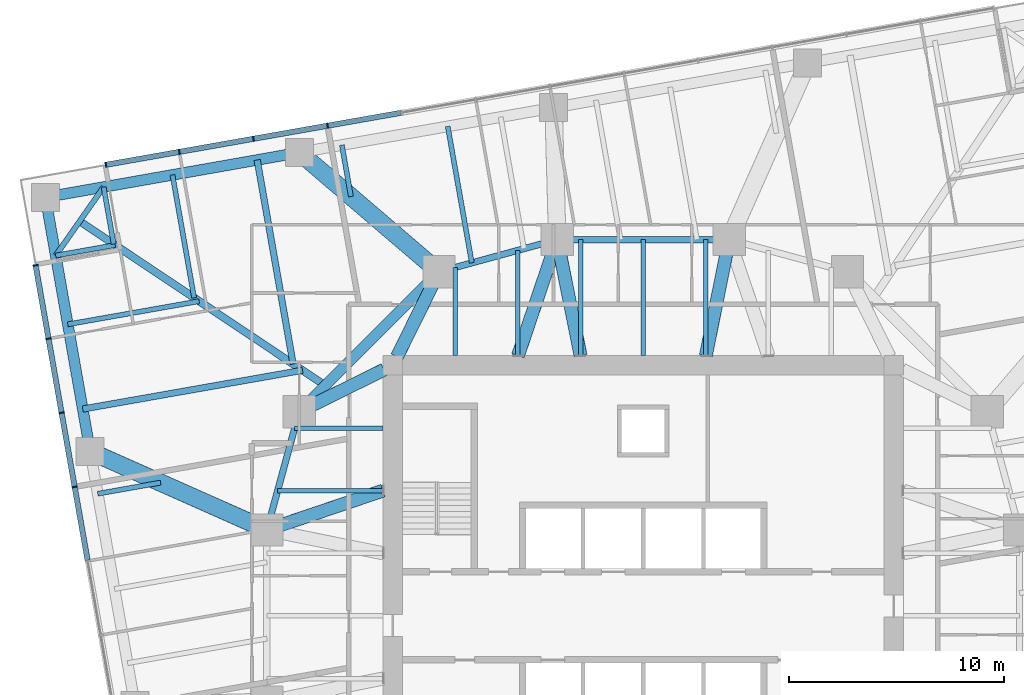
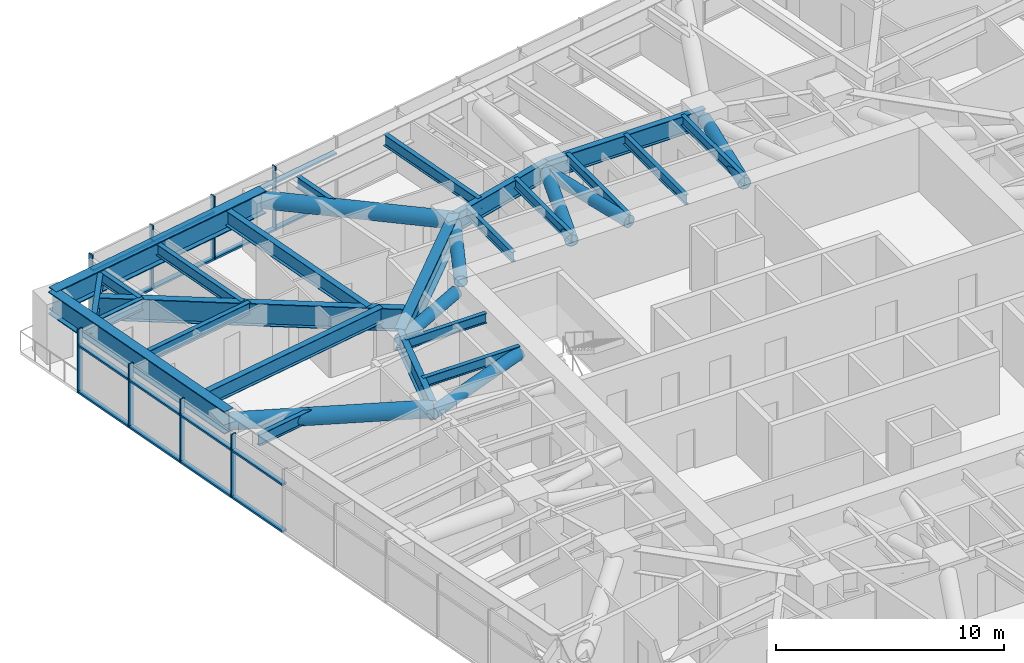
# One storey, part 6 of 17: 32 members, 24 beams, 2 elements without a shape of their own.
"""IFC4 building model written with IfcOpenShell, lengths in metres."""

from ifc_helpers import new_model, si_unit, direction, frame, origin, origin_2d, place, context, subcontext, project, spatial, rectangle, hollow_circle, i_section, extrude, material, material_profile, profile_set, type_object, element, aggregate, save


model = new_model("IFC4")

# Units and contexts
model_context = context("Model", 3, precision=1e-05, world=origin(), true_north=direction((0.0, 1.0)))
body_context = subcontext(model_context, "Body", "Model", "MODEL_VIEW")
ifc_project = project(units=[si_unit("LENGTHUNIT", "METRE"), si_unit("AREAUNIT", "SQUARE_METRE"), si_unit("VOLUMEUNIT", "CUBIC_METRE"), si_unit("PLANEANGLEUNIT", "RADIAN"), si_unit("MASSUNIT", "GRAM", prefix="KILO")], contexts=[model_context])

# Site, building, storey
site_placement = place(None, origin())
site = spatial("IfcSite", under=ifc_project, at=site_placement, CompositionType="ELEMENT")
building_placement = place(site_placement, origin())
building = spatial("IfcBuilding", under=site, at=building_placement, Name="Torsade Residences", CompositionType="ELEMENT")
storey_placement = place(building_placement, frame((0.0, 0.0, 103.199951171875)))
storey = spatial("IfcBuildingStorey", under=building, at=storey_placement, Name="L28", CompositionType="ELEMENT", Elevation=103.199951171875)

# Beams
ifc_material_1 = material(Name="Steel grade 300", Category="steel")
ifc_material_profile_1 = material_profile(ifc_material_1, i_section(OverallWidth=0.35009765625, OverallDepth=1.199951171875, WebThickness=0.01611328125, FlangeThickness=0.028076171875, at=origin_2d()), Name="1200WB278")
ifc_profile_set_1 = profile_set([ifc_material_profile_1], Name="Steel grade 300")
beam_type_1 = type_object("IfcBeamType", Name="CORNER GIRDER 1200WB278", PredefinedType="BEAM", material=ifc_profile_set_1)
beam_1_placement = place(storey_placement, frame((13.7900390625, 48.3525390625, 2.60009765625), z_axis=(0.831284218533, -0.555847594236, 0.0), x_axis=(0.555847594236, 0.831284218533, 0.0)))
element("IfcBeam", 1, at=beam_1_placement, inside=storey, type_object=beam_type_1, Name="Corner girder 13 L29", PredefinedType="BEAM", context=body_context, shape_type="SweptSolid", body=[
    extrude(i_section(OverallWidth=0.35009765625, OverallDepth=1.199951171875, WebThickness=0.01611328125, FlangeThickness=0.028076171875, at=origin_2d()), origin(), (0.0, 0.0, 1.0), 13.742431640625),
])
ifc_material_2 = material(Name="Steel grade 300", Category="steel")
ifc_material_profile_2 = material_profile(ifc_material_2, i_section(OverallWidth=0.25, OverallDepth=0.699951171875, WebThickness=0.010009765625, FlangeThickness=0.02001953125, at=origin_2d()), Name="700WB130")
ifc_profile_set_2 = profile_set([ifc_material_profile_2], Name="Steel grade 300")
beam_type_2 = type_object("IfcBeamType", Name="CORNER TRIMMER 700WB130", PredefinedType="BEAM", material=ifc_profile_set_2)
beam_2_placement = place(storey_placement, frame((12.674560546875, 46.759521484375, 2.85009765625), z_axis=(0.573576092373, 0.819152285145, 0.0), x_axis=(-0.819152285145, 0.573576092373, 0.0)))
element("IfcBeam", 2, at=beam_2_placement, inside=storey, type_object=beam_type_2, Name="Corner trimmer 13 L29", PredefinedType="BEAM", context=body_context, shape_type="SweptSolid", body=[
    extrude(i_section(OverallWidth=0.25, OverallDepth=0.699951171875, WebThickness=0.010009765625, FlangeThickness=0.02001953125, at=origin_2d()), origin(), (0.0, 0.0, 1.0), 3.88916015625),
])

# Curtain wall, members
ifc_material_3 = material(Name="Aluminium and glass", Category="aluminium")
curtain_wall_type = type_object("IfcCurtainWallType", Name="FRITTED GLASS CURTAIN WALL LOW ZONE", PredefinedType="NOTDEFINED", material=ifc_material_3)
curtain_wall_1_placement = place(storey_placement, origin())
curtain_wall_1 = element("IfcCurtainWall", 3, at=curtain_wall_1_placement, inside=storey, type_object=curtain_wall_type, Name="Curtain wall L28 face 7", PredefinedType="NOTDEFINED")
ifc_material_4 = material(Name="Aluminium mullion", Category="aluminium")
ifc_material_profile_3 = material_profile(ifc_material_4, rectangle(XDim=0.25, YDim=0.06494140625, at=origin_2d()), Name="CURTAIN WALL MULLION 250x65")
ifc_profile_set_3 = profile_set([ifc_material_profile_3], Name="Aluminium mullion")
member_type_1 = type_object("IfcMemberType", Name="CURTAIN WALL MULLION 250x65", PredefinedType="MULLION", material=ifc_profile_set_3)
member_1_placement = place(storey_placement, frame((25.318359375, 52.796875, 0.0), z_axis=(0.0, 0.0, 1.0), x_axis=(0.173648192638, -0.984807750372, 0.0)))
member_1 = element("IfcMember", 4, at=member_1_placement, type_object=member_type_1, Name="Mullion 10", PredefinedType="MULLION", context=body_context, shape_type="SweptSolid", body=[
    extrude(rectangle(XDim=0.25, YDim=0.06494140625, at=origin_2d()), origin(), (0.0, 0.0, 1.0), 3.400146484375),
])
member_2_placement = place(storey_placement, frame((21.87158203125, 52.189208984375, 0.0), z_axis=(0.0, 0.0, 1.0), x_axis=(0.173648192638, -0.984807750372, 0.0)))
member_2 = element("IfcMember", 5, at=member_2_placement, type_object=member_type_1, Name="Mullion 11", PredefinedType="MULLION", context=body_context, shape_type="SweptSolid", body=[
    extrude(rectangle(XDim=0.25, YDim=0.06494140625, at=origin_2d()), origin(), (0.0, 0.0, 1.0), 3.400146484375),
])
member_3_placement = place(storey_placement, frame((18.424560546875, 51.581298828125, 0.0), z_axis=(0.0, 0.0, 1.0), x_axis=(0.173648192638, -0.984807750372, 0.0)))
member_3 = element("IfcMember", 6, at=member_3_placement, type_object=member_type_1, Name="Mullion 12", PredefinedType="MULLION", context=body_context, shape_type="SweptSolid", body=[
    extrude(rectangle(XDim=0.25, YDim=0.06494140625, at=origin_2d()), origin(), (0.0, 0.0, 1.0), 3.400146484375),
])
member_4_placement = place(storey_placement, frame((15.009765625, 50.979248046875, 0.0), z_axis=(0.0, 0.0, 1.0), x_axis=(0.173648192638, -0.984807750372, 0.0)))
member_4 = element("IfcMember", 7, at=member_4_placement, type_object=member_type_1, Name="Mullion 13", PredefinedType="MULLION", context=body_context, shape_type="SweptSolid", body=[
    extrude(rectangle(XDim=0.25, YDim=0.06494140625, at=origin_2d()), origin(), (0.0, 0.0, 1.0), 3.400146484375),
])

curtain_wall_2_placement = place(storey_placement, origin())
curtain_wall_2 = element("IfcCurtainWall", 8, at=curtain_wall_2_placement, inside=storey, type_object=curtain_wall_type, Name="Curtain wall L28 face 10", PredefinedType="NOTDEFINED")
member_5_placement = place(storey_placement, frame((11.73876953125, 46.307861328125, 0.0), z_axis=(0.0, 0.0, 1.0), x_axis=(0.984807750372, 0.173648192638, 0.0)))
member_5 = element("IfcMember", 9, at=member_5_placement, type_object=member_type_1, Name="Mullion 1", PredefinedType="MULLION", context=body_context, shape_type="SweptSolid", body=[
    extrude(rectangle(XDim=0.25, YDim=0.06494140625, at=origin_2d()), origin(), (0.0, 0.0, 1.0), 3.400146484375),
])
member_6_placement = place(storey_placement, frame((12.341064453125, 42.892822265625, 0.0), z_axis=(0.0, 0.0, 1.0), x_axis=(0.984807750372, 0.173648192638, 0.0)))
member_6 = element("IfcMember", 10, at=member_6_placement, type_object=member_type_1, Name="Mullion 2", PredefinedType="MULLION", context=body_context, shape_type="SweptSolid", body=[
    extrude(rectangle(XDim=0.25, YDim=0.06494140625, at=origin_2d()), origin(), (0.0, 0.0, 1.0), 3.400146484375),
])
member_7_placement = place(storey_placement, frame((12.94873046875, 39.446044921875, 0.0), z_axis=(0.0, 0.0, 1.0), x_axis=(0.984807750372, 0.173648192638, 0.0)))
member_7 = element("IfcMember", 11, at=member_7_placement, type_object=member_type_1, Name="Mullion 3", PredefinedType="MULLION", context=body_context, shape_type="SweptSolid", body=[
    extrude(rectangle(XDim=0.25, YDim=0.06494140625, at=origin_2d()), origin(), (0.0, 0.0, 1.0), 3.400146484375),
])
member_8_placement = place(storey_placement, frame((13.556396484375, 35.999267578125, 0.0), z_axis=(0.0, 0.0, 1.0), x_axis=(0.984807750372, 0.173648192638, 0.0)))
member_8 = element("IfcMember", 12, at=member_8_placement, type_object=member_type_1, Name="Mullion 4", PredefinedType="MULLION", context=body_context, shape_type="SweptSolid", body=[
    extrude(rectangle(XDim=0.25, YDim=0.06494140625, at=origin_2d()), origin(), (0.0, 0.0, 1.0), 3.400146484375),
])

# Member
ifc_material_5 = material(Name="Aluminium transom", Category="aluminium")
ifc_material_profile_4 = material_profile(ifc_material_5, rectangle(XDim=0.25, YDim=0.10009765625, at=origin_2d()), Name="CURTAIN WALL TRANSOM 250x100")
ifc_profile_set_4 = profile_set([ifc_material_profile_4], Name="Aluminium transom")
member_type_2 = type_object("IfcMemberType", Name="CURTAIN WALL TRANSOM 250x100", PredefinedType="USERDEFINED", material=ifc_profile_set_4)
member_9_placement = place(storey_placement, frame((28.733154296875, 53.39892578125, 0.050048828125), z_axis=(-0.984810021497, -0.17363531196, 0.0), x_axis=(0.17363531196, -0.984810021497, 0.0)))
member_9 = element("IfcMember", 13, at=member_9_placement, type_object=member_type_2, Name="Transom 9.1", ObjectType="TRANSOM", PredefinedType="USERDEFINED", context=body_context, shape_type="SweptSolid", body=[
    extrude(rectangle(XDim=0.25, YDim=0.10009765625, at=origin_2d()), origin(), (0.0, 0.0, 1.0), 3.43505859375),
])

member_10_placement = place(storey_placement, frame((28.733154296875, 53.39892578125, 2.550048828125), z_axis=(-0.984810021497, -0.17363531196, 0.0), x_axis=(0.17363531196, -0.984810021497, 0.0)))
member_10 = element("IfcMember", 14, at=member_10_placement, type_object=member_type_2, Name="Transom 9.2", ObjectType="TRANSOM", PredefinedType="USERDEFINED", context=body_context, shape_type="SweptSolid", body=[
    extrude(rectangle(XDim=0.25, YDim=0.10009765625, at=origin_2d()), origin(), (0.0, 0.0, 1.0), 3.43505859375),
])

member_11_placement = place(storey_placement, frame((25.286376953125, 52.791259765625, 0.050048828125), z_axis=(-0.984810021497, -0.17363531196, 0.0), x_axis=(0.17363531196, -0.984810021497, 0.0)))
member_11 = element("IfcMember", 15, at=member_11_placement, type_object=member_type_2, Name="Transom 10.1", ObjectType="TRANSOM", PredefinedType="USERDEFINED", context=body_context, shape_type="SweptSolid", body=[
    extrude(rectangle(XDim=0.25, YDim=0.10009765625, at=origin_2d()), origin(), (0.0, 0.0, 1.0), 3.43505859375),
])

member_12_placement = place(storey_placement, frame((25.286376953125, 52.791259765625, 2.550048828125), z_axis=(-0.984810021497, -0.17363531196, 0.0), x_axis=(0.17363531196, -0.984810021497, 0.0)))
member_12 = element("IfcMember", 16, at=member_12_placement, type_object=member_type_2, Name="Transom 10.2", ObjectType="TRANSOM", PredefinedType="USERDEFINED", context=body_context, shape_type="SweptSolid", body=[
    extrude(rectangle(XDim=0.25, YDim=0.10009765625, at=origin_2d()), origin(), (0.0, 0.0, 1.0), 3.43505859375),
])

member_13_placement = place(storey_placement, frame((21.839599609375, 52.18359375, 0.050048828125), z_axis=(-0.98479786563, -0.173704242465, 0.0), x_axis=(0.173704242465, -0.98479786563, 0.0)))
member_13 = element("IfcMember", 17, at=member_13_placement, type_object=member_type_2, Name="Transom 11.1", ObjectType="TRANSOM", PredefinedType="USERDEFINED", context=body_context, shape_type="SweptSolid", body=[
    extrude(rectangle(XDim=0.25, YDim=0.10009765625, at=origin_2d()), origin(), (0.0, 0.0, 1.0), 3.43505859375),
])

member_14_placement = place(storey_placement, frame((21.839599609375, 52.18359375, 2.550048828125), z_axis=(-0.98479786563, -0.173704242465, 0.0), x_axis=(0.173704242465, -0.98479786563, 0.0)))
member_14 = element("IfcMember", 18, at=member_14_placement, type_object=member_type_2, Name="Transom 11.2", ObjectType="TRANSOM", PredefinedType="USERDEFINED", context=body_context, shape_type="SweptSolid", body=[
    extrude(rectangle(XDim=0.25, YDim=0.10009765625, at=origin_2d()), origin(), (0.0, 0.0, 1.0), 3.43505859375),
])

member_15_placement = place(storey_placement, frame((18.392578125, 51.57568359375, 0.050048828125), z_axis=(-0.984808830466, -0.173642067011, 0.0), x_axis=(0.173642067011, -0.984808830466, 0.0)))
member_15 = element("IfcMember", 19, at=member_15_placement, type_object=member_type_2, Name="Transom 12.1", ObjectType="TRANSOM", PredefinedType="USERDEFINED", context=body_context, shape_type="SweptSolid", body=[
    extrude(rectangle(XDim=0.25, YDim=0.10009765625, at=origin_2d()), origin(), (0.0, 0.0, 1.0), 3.402587890625),
])

member_16_placement = place(storey_placement, frame((18.392578125, 51.57568359375, 2.550048828125), z_axis=(-0.984808830466, -0.173642067011, 0.0), x_axis=(0.173642067011, -0.984808830466, 0.0)))
member_16 = element("IfcMember", 20, at=member_16_placement, type_object=member_type_2, Name="Transom 12.2", ObjectType="TRANSOM", PredefinedType="USERDEFINED", context=body_context, shape_type="SweptSolid", body=[
    extrude(rectangle(XDim=0.25, YDim=0.10009765625, at=origin_2d()), origin(), (0.0, 0.0, 1.0), 3.402587890625),
])

aggregate(curtain_wall_1, [member_1, member_2, member_3, member_4, member_9, member_10, member_11, member_12, member_13, member_14, member_15, member_16])

member_17_placement = place(storey_placement, frame((11.744384765625, 46.275634765625, 0.050048828125), z_axis=(0.173654337918, -0.984806666774, 0.0), x_axis=(0.984806666774, 0.173654337918, 0.0)))
member_17 = element("IfcMember", 21, at=member_17_placement, type_object=member_type_2, Name="Transom 1.1", ObjectType="TRANSOM", PredefinedType="USERDEFINED", context=body_context, shape_type="SweptSolid", body=[
    extrude(rectangle(XDim=0.25, YDim=0.10009765625, at=origin_2d()), origin(), (0.0, 0.0, 1.0), 3.40234375),
])

member_18_placement = place(storey_placement, frame((11.744384765625, 46.275634765625, 2.550048828125), z_axis=(0.173654337918, -0.984806666774, 0.0), x_axis=(0.984806666774, 0.173654337918, 0.0)))
member_18 = element("IfcMember", 22, at=member_18_placement, type_object=member_type_2, Name="Transom 1.2", ObjectType="TRANSOM", PredefinedType="USERDEFINED", context=body_context, shape_type="SweptSolid", body=[
    extrude(rectangle(XDim=0.25, YDim=0.10009765625, at=origin_2d()), origin(), (0.0, 0.0, 1.0), 3.40234375),
])

member_19_placement = place(storey_placement, frame((12.3466796875, 42.86083984375, 0.050048828125), z_axis=(0.17363531196, -0.984810021497, 0.0), x_axis=(0.984810021497, 0.17363531196, 0.0)))
member_19 = element("IfcMember", 23, at=member_19_placement, type_object=member_type_2, Name="Transom 2.1", ObjectType="TRANSOM", PredefinedType="USERDEFINED", context=body_context, shape_type="SweptSolid", body=[
    extrude(rectangle(XDim=0.25, YDim=0.10009765625, at=origin_2d()), origin(), (0.0, 0.0, 1.0), 3.43505859375),
])

member_20_placement = place(storey_placement, frame((12.3466796875, 42.86083984375, 2.550048828125), z_axis=(0.17363531196, -0.984810021497, 0.0), x_axis=(0.984810021497, 0.17363531196, 0.0)))
member_20 = element("IfcMember", 24, at=member_20_placement, type_object=member_type_2, Name="Transom 2.2", ObjectType="TRANSOM", PredefinedType="USERDEFINED", context=body_context, shape_type="SweptSolid", body=[
    extrude(rectangle(XDim=0.25, YDim=0.10009765625, at=origin_2d()), origin(), (0.0, 0.0, 1.0), 3.43505859375),
])

member_21_placement = place(storey_placement, frame((12.954345703125, 39.4140625, 0.050048828125), z_axis=(0.17363531196, -0.984810021497, 0.0), x_axis=(0.984810021497, 0.17363531196, 0.0)))
member_21 = element("IfcMember", 25, at=member_21_placement, type_object=member_type_2, Name="Transom 3.1", ObjectType="TRANSOM", PredefinedType="USERDEFINED", context=body_context, shape_type="SweptSolid", body=[
    extrude(rectangle(XDim=0.25, YDim=0.10009765625, at=origin_2d()), origin(), (0.0, 0.0, 1.0), 3.43505859375),
])

member_22_placement = place(storey_placement, frame((12.954345703125, 39.4140625, 2.550048828125), z_axis=(0.17363531196, -0.984810021497, 0.0), x_axis=(0.984810021497, 0.17363531196, 0.0)))
member_22 = element("IfcMember", 26, at=member_22_placement, type_object=member_type_2, Name="Transom 3.2", ObjectType="TRANSOM", PredefinedType="USERDEFINED", context=body_context, shape_type="SweptSolid", body=[
    extrude(rectangle(XDim=0.25, YDim=0.10009765625, at=origin_2d()), origin(), (0.0, 0.0, 1.0), 3.43505859375),
])

member_23_placement = place(storey_placement, frame((13.562255859375, 35.96728515625, 0.050048828125), z_axis=(0.17363531196, -0.984810021497, 0.0), x_axis=(0.984810021497, 0.17363531196, 0.0)))
member_23 = element("IfcMember", 27, at=member_23_placement, type_object=member_type_2, Name="Transom 4.1", ObjectType="TRANSOM", PredefinedType="USERDEFINED", context=body_context, shape_type="SweptSolid", body=[
    extrude(rectangle(XDim=0.25, YDim=0.10009765625, at=origin_2d()), origin(), (0.0, 0.0, 1.0), 3.43505859375),
])

member_24_placement = place(storey_placement, frame((13.562255859375, 35.96728515625, 2.550048828125), z_axis=(0.17363531196, -0.984810021497, 0.0), x_axis=(0.984810021497, 0.17363531196, 0.0)))
member_24 = element("IfcMember", 28, at=member_24_placement, type_object=member_type_2, Name="Transom 4.2", ObjectType="TRANSOM", PredefinedType="USERDEFINED", context=body_context, shape_type="SweptSolid", body=[
    extrude(rectangle(XDim=0.25, YDim=0.10009765625, at=origin_2d()), origin(), (0.0, 0.0, 1.0), 3.43505859375),
])

aggregate(curtain_wall_2, [member_5, member_6, member_7, member_8, member_17, member_18, member_19, member_20, member_21, member_22, member_23, member_24])

# Beams
ifc_material_6 = material(Name="Steel grade 300", Category="steel")
ifc_material_profile_5 = material_profile(ifc_material_6, i_section(OverallWidth=0.208984375, OverallDepth=0.528076171875, WebThickness=0.009521484375, FlangeThickness=0.01318359375, FilletRadius=0.013916015625, at=origin_2d()), Name="530UB82.0")
ifc_profile_set_5 = profile_set([ifc_material_profile_5], Name="Steel grade 300")
beam_type_3 = type_object("IfcBeamType", Name="INNER FLOOR BEAM 530UB82.0", PredefinedType="JOIST", material=ifc_profile_set_5)
beam_3_placement = place(storey_placement, frame((31.262451171875, 42.10009765625, 2.93603515625), z_axis=(0.0, 1.0, 0.0), x_axis=(-1.0, 0.0, 0.0)))
element("IfcBeam", 29, at=beam_3_placement, inside=storey, type_object=beam_type_3, Name="Inner floor beam IN01 L29", PredefinedType="JOIST", context=body_context, shape_type="SweptSolid", body=[
    extrude(i_section(OverallWidth=0.208984375, OverallDepth=0.528076171875, WebThickness=0.009521484375, FlangeThickness=0.01318359375, FilletRadius=0.013916015625, at=origin_2d()), origin(), (0.0, 0.0, 1.0), 4.10791015625),
])
beam_4_placement = place(storey_placement, frame((34.175048828125, 42.10009765625, 2.93603515625), z_axis=(0.0, 1.0, 0.0), x_axis=(-1.0, 0.0, 0.0)))
element("IfcBeam", 30, at=beam_4_placement, inside=storey, type_object=beam_type_3, Name="Inner floor beam IN02 L29", PredefinedType="JOIST", context=body_context, shape_type="SweptSolid", body=[
    extrude(i_section(OverallWidth=0.208984375, OverallDepth=0.528076171875, WebThickness=0.009521484375, FlangeThickness=0.01318359375, FilletRadius=0.013916015625, at=origin_2d()), origin(), (0.0, 0.0, 1.0), 4.902099609375),
])
for number, where, z_axis, x_axis, name in (
    (31, (37.08740234375, 42.10009765625, 2.93603515625), (0.0, 1.0, 0.0), (-1.0, 0.0, 0.0), "Inner floor beam IN03 L29"),
    (32, (40.0, 42.10009765625, 2.93603515625), (0.0, 1.0, 0.0), (-1.0, 0.0, 0.0), "Inner floor beam IN04 L29"),
    (33, (42.91259765625, 42.10009765625, 2.93603515625), (0.0, 1.0, 0.0), (-1.0, 0.0, 0.0), "Inner floor beam IN05 L29"),
):
    element("IfcBeam", number, at=place(storey_placement, frame(where, z_axis=z_axis, x_axis=x_axis)), inside=storey, type_object=beam_type_3, Name=name, PredefinedType="JOIST", context=body_context, shape_type="SweptSolid", body=[
        extrude(i_section(OverallWidth=0.208984375, OverallDepth=0.528076171875, WebThickness=0.009521484375, FlangeThickness=0.01318359375, FilletRadius=0.013916015625, at=origin_2d()), origin(), (0.0, 0.0, 1.0), 5.39990234375),
    ])
beam_5_placement = place(storey_placement, frame((27.89990234375, 38.737548828125, 2.93603515625), z_axis=(-1.0, 0.0, 0.0), x_axis=(0.0, -1.0, 0.0)))
element("IfcBeam", 34, at=beam_5_placement, inside=storey, type_object=beam_type_3, Name="Inner floor beam IW01 L29", PredefinedType="JOIST", context=body_context, shape_type="SweptSolid", body=[
    extrude(i_section(OverallWidth=0.208984375, OverallDepth=0.528076171875, WebThickness=0.009521484375, FlangeThickness=0.01318359375, FilletRadius=0.013916015625, at=origin_2d()), origin(), (0.0, 0.0, 1.0), 4.10791015625),
])
beam_6_placement = place(storey_placement, frame((27.89990234375, 35.824951171875, 2.93603515625), z_axis=(-1.0, 0.0, 0.0), x_axis=(0.0, -1.0, 0.0)))
element("IfcBeam", 35, at=beam_6_placement, inside=storey, type_object=beam_type_3, Name="Inner floor beam IW02 L29", PredefinedType="JOIST", context=body_context, shape_type="SweptSolid", body=[
    extrude(i_section(OverallWidth=0.208984375, OverallDepth=0.528076171875, WebThickness=0.009521484375, FlangeThickness=0.01318359375, FilletRadius=0.013916015625, at=origin_2d()), origin(), (0.0, 0.0, 1.0), 4.902099609375),
])
ifc_material_7 = material(Name="Steel grade 300", Category="steel")
ifc_material_profile_6 = material_profile(ifc_material_7, i_section(OverallWidth=0.5, OverallDepth=1.199951171875, WebThickness=0.01611328125, FlangeThickness=0.0400390625, at=origin_2d()), Name="1200WB455")
ifc_profile_set_6 = profile_set([ifc_material_profile_6], Name="Steel grade 300")
beam_type_4 = type_object("IfcBeamType", Name="RING CORNER GIRDER 1200WB455", PredefinedType="BEAM", material=ifc_profile_set_6)
beam_7_placement = place(storey_placement, frame((30.5, 46.0, 2.60009765625), z_axis=(-0.707106781187, -0.707106781187, 0.0), x_axis=(0.707106781187, -0.707106781187, 0.0)))
element("IfcBeam", 36, at=beam_7_placement, inside=storey, type_object=beam_type_4, Name="Ring girder IR07 L29", PredefinedType="BEAM", context=body_context, shape_type="SweptSolid", body=[
    extrude(i_section(OverallWidth=0.5, OverallDepth=1.199951171875, WebThickness=0.01611328125, FlangeThickness=0.0400390625, at=origin_2d()), origin(), (0.0, 0.0, 1.0), 9.1923828125),
])
ifc_material_8 = material(Name="Steel grade 300", Category="steel")
ifc_material_profile_7 = material_profile(ifc_material_8, i_section(OverallWidth=0.300048828125, OverallDepth=1.0, WebThickness=0.01611328125, FlangeThickness=0.028076171875, at=origin_2d()), Name="1000WB215")
ifc_profile_set_7 = profile_set([ifc_material_profile_7], Name="Steel grade 300")
beam_type_5 = type_object("IfcBeamType", Name="RING GIRDER 1000WB215", PredefinedType="BEAM", material=ifc_profile_set_7)
beam_8_placement = place(storey_placement, frame((44.0, 47.5, 2.699951171875), z_axis=(-1.0, 0.0, 0.0), x_axis=(0.0, -1.0, 0.0)))
element("IfcBeam", 37, at=beam_8_placement, inside=storey, type_object=beam_type_5, Name="Ring girder IR05 L29", PredefinedType="BEAM", context=body_context, shape_type="SweptSolid", body=[
    extrude(i_section(OverallWidth=0.300048828125, OverallDepth=1.0, WebThickness=0.01611328125, FlangeThickness=0.028076171875, at=origin_2d()), origin(), (0.0, 0.0, 1.0), 8.0),
])
for number, where, z_axis, x_axis, name in (
    (38, (36.0, 47.5, 2.699951171875), (-0.964763821238, -0.263117405792, 0.0), (0.263117405792, -0.964763821238, 0.0), "Ring girder IR06 L29"),
    (39, (24.0, 39.5, 2.699951171875), (-0.263117405792, -0.964763821238, 0.0), (0.964763821238, -0.263117405792, 0.0), "Ring girder IR08 L29"),
):
    element("IfcBeam", number, at=place(storey_placement, frame(where, z_axis=z_axis, x_axis=x_axis)), inside=storey, type_object=beam_type_5, Name=name, PredefinedType="BEAM", context=body_context, shape_type="SweptSolid", body=[
        extrude(i_section(OverallWidth=0.300048828125, OverallDepth=1.0, WebThickness=0.01611328125, FlangeThickness=0.028076171875, at=origin_2d()), origin(), (0.0, 0.0, 1.0), 5.700927734375),
    ])
ifc_material_9 = material(Name="Steel grade 300", Category="steel")
ifc_material_profile_8 = material_profile(ifc_material_9, i_section(OverallWidth=0.22900390625, OverallDepth=0.612060546875, WebThickness=0.011962890625, FlangeThickness=0.01953125, FilletRadius=0.013916015625, at=origin_2d()), Name="610UB125")
ifc_profile_set_8 = profile_set([ifc_material_profile_8], Name="Steel grade 300")
beam_type_6 = type_object("IfcBeamType", Name="SECONDARY BEAM 610UB125", PredefinedType="JOIST", material=ifc_profile_set_8)
beam_9_placement = place(storey_placement, frame((30.908447265625, 52.76708984375, 2.89404296875), z_axis=(0.17363198078, -0.984810608823, 0.0), x_axis=(0.984810608823, 0.17363198078, 0.0)))
element("IfcBeam", 40, at=beam_9_placement, inside=storey, type_object=beam_type_6, Name="Floor beam FN08 L29", PredefinedType="JOIST", context=body_context, shape_type="SweptSolid", body=[
    extrude(i_section(OverallWidth=0.22900390625, OverallDepth=0.612060546875, WebThickness=0.011962890625, FlangeThickness=0.01953125, FilletRadius=0.013916015625, at=origin_2d()), origin(), (0.0, 0.0, 1.0), 6.4482421875),
])
beam_10_placement = place(storey_placement, frame((25.984375, 51.89892578125, 2.89404296875), z_axis=(0.173687967535, -0.984800736156, 0.0), x_axis=(0.984800736156, 0.173687967535, 0.0)))
element("IfcBeam", 41, at=beam_10_placement, inside=storey, type_object=beam_type_6, Name="Floor beam FN09 L29", PredefinedType="JOIST", context=body_context, shape_type="SweptSolid", body=[
    extrude(i_section(OverallWidth=0.22900390625, OverallDepth=0.612060546875, WebThickness=0.011962890625, FlangeThickness=0.01953125, FilletRadius=0.013916015625, at=origin_2d()), origin(), (0.0, 0.0, 1.0), 2.431640625),
])
beam_11_placement = place(storey_placement, frame((18.10595703125, 50.509765625, 2.89404296875), z_axis=(0.17364618288, -0.984808104745, 0.0), x_axis=(0.984808104745, 0.17364618288, 0.0)))
element("IfcBeam", 42, at=beam_11_placement, inside=storey, type_object=beam_type_6, Name="Floor beam FN11 L29", PredefinedType="JOIST", context=body_context, shape_type="SweptSolid", body=[
    extrude(i_section(OverallWidth=0.22900390625, OverallDepth=0.612060546875, WebThickness=0.011962890625, FlangeThickness=0.01953125, FilletRadius=0.013916015625, at=origin_2d()), origin(), (0.0, 0.0, 1.0), 5.80517578125),
])
beam_12_placement = place(storey_placement, frame((14.9052734375, 49.9453125, 2.89404296875), z_axis=(0.173671513648, -0.984803637964, 0.0), x_axis=(0.984803637964, 0.173671513648, 0.0)))
element("IfcBeam", 43, at=beam_12_placement, inside=storey, type_object=beam_type_6, Name="Floor beam FN12 L29", PredefinedType="JOIST", context=body_context, shape_type="SweptSolid", body=[
    extrude(i_section(OverallWidth=0.22900390625, OverallDepth=0.612060546875, WebThickness=0.011962890625, FlangeThickness=0.01953125, FilletRadius=0.013916015625, at=origin_2d()), origin(), (0.0, 0.0, 1.0), 2.692138671875),
])
beam_13_placement = place(storey_placement, frame((12.674560546875, 46.759521484375, 2.89404296875), z_axis=(0.984808034965, 0.173646578627, 0.0), x_axis=(-0.173646578627, 0.984808034965, 0.0)))
element("IfcBeam", 44, at=beam_13_placement, inside=storey, type_object=beam_type_6, Name="Floor beam FW01 L29", PredefinedType="JOIST", context=body_context, shape_type="SweptSolid", body=[
    extrude(i_section(OverallWidth=0.22900390625, OverallDepth=0.612060546875, WebThickness=0.011962890625, FlangeThickness=0.01953125, FilletRadius=0.013916015625, at=origin_2d()), origin(), (0.0, 0.0, 1.0), 2.810546875),
])
beam_14_placement = place(storey_placement, frame((13.239013671875, 43.55908203125, 2.89404296875), z_axis=(0.984808114517, 0.173646127458, 0.0), x_axis=(-0.173646127458, 0.984808114517, 0.0)))
element("IfcBeam", 45, at=beam_14_placement, inside=storey, type_object=beam_type_6, Name="Floor beam FW02 L29", PredefinedType="JOIST", context=body_context, shape_type="SweptSolid", body=[
    extrude(i_section(OverallWidth=0.22900390625, OverallDepth=0.612060546875, WebThickness=0.011962890625, FlangeThickness=0.01953125, FilletRadius=0.013916015625, at=origin_2d()), origin(), (0.0, 0.0, 1.0), 6.203125),
])
beam_15_placement = place(storey_placement, frame((14.628173828125, 35.680419921875, 2.89404296875), z_axis=(0.984797618104, 0.17370564578, 0.0), x_axis=(-0.17370564578, 0.984797618104, 0.0)))
element("IfcBeam", 46, at=beam_15_placement, inside=storey, type_object=beam_type_6, Name="Floor beam FW04 L29", PredefinedType="JOIST", context=body_context, shape_type="SweptSolid", body=[
    extrude(i_section(OverallWidth=0.22900390625, OverallDepth=0.612060546875, WebThickness=0.011962890625, FlangeThickness=0.01953125, FilletRadius=0.013916015625, at=origin_2d()), origin(), (0.0, 0.0, 1.0), 2.97119140625),
])
ifc_material_10 = material(Name="Steel grade 300", Category="steel")
ifc_material_profile_9 = material_profile(ifc_material_10, i_section(OverallWidth=0.300048828125, OverallDepth=0.800048828125, WebThickness=0.010009765625, FlangeThickness=0.02001953125, at=origin_2d()), Name="800WB146")
ifc_profile_set_9 = profile_set([ifc_material_profile_9], Name="Steel grade 300")
beam_type_7 = type_object("IfcBeamType", Name="SECONDARY BEAM 800WB146", PredefinedType="JOIST", material=ifc_profile_set_9)
beam_16_placement = place(storey_placement, frame((22.045166015625, 51.204345703125, 2.800048828125), z_axis=(0.173639363846, -0.984809307086, 0.0), x_axis=(0.984809307086, 0.173639363846, 0.0)))
element("IfcBeam", 47, at=beam_16_placement, inside=storey, type_object=beam_type_7, Name="Floor beam FN10 L29", PredefinedType="JOIST", context=body_context, shape_type="SweptSolid", body=[
    extrude(i_section(OverallWidth=0.300048828125, OverallDepth=0.800048828125, WebThickness=0.010009765625, FlangeThickness=0.02001953125, at=origin_2d()), origin(), (0.0, 0.0, 1.0), 9.636962890625),
])
beam_17_placement = place(storey_placement, frame((13.93359375, 39.619873046875, 2.800048828125), z_axis=(0.98480888615, 0.173641751202, 0.0), x_axis=(-0.173641751202, 0.98480888615, 0.0)))
element("IfcBeam", 48, at=beam_17_placement, inside=storey, type_object=beam_type_7, Name="Floor beam FW03 L29", PredefinedType="JOIST", context=body_context, shape_type="SweptSolid", body=[
    extrude(i_section(OverallWidth=0.300048828125, OverallDepth=0.800048828125, WebThickness=0.010009765625, FlangeThickness=0.02001953125, at=origin_2d()), origin(), (0.0, 0.0, 1.0), 10.379150390625),
])

# Members
ifc_material_11 = material(Name="Steel grade 450", Category="steel")
ifc_material_profile_10 = material_profile(ifc_material_11, hollow_circle(Radius=0.304931640625, WallThickness=0.01611328125, at=origin_2d()), Name="610.0x16.0CHS")
ifc_profile_set_10 = profile_set([ifc_material_profile_10], Name="Steel grade 450")
member_type_3 = type_object("IfcMemberType", Name="TRANSFER FLOOR BRACE 610.0x16.0CHS", PredefinedType="BRACE", material=ifc_profile_set_10)
for number, where, z_axis, x_axis, name in (
    (49, (44.0, 47.5, 2.60009765625), (-0.197299045909, -0.97976207845, 0.03375434957), (0.980320704809, -0.197411538983, 0.0), "Transfer floor brace TT3 bottom IR05IN05"),
    (50, (36.0, 47.5, 2.60009765625), (0.197299045909, -0.97976207845, 0.03375434957), (0.980320704809, 0.197411538983, 0.0), "Transfer floor brace TT3 bottom IR06IN03"),
):
    element("IfcMember", number, at=place(storey_placement, frame(where, z_axis=z_axis, x_axis=x_axis)), inside=storey, type_object=member_type_3, Name=name, PredefinedType="BRACE", context=body_context, shape_type="SweptSolid", body=[
        extrude(hollow_circle(Radius=0.304931640625, WallThickness=0.01611328125, at=origin_2d()), origin(), (0.0, 0.0, 1.0), 5.511474609375),
    ])
member_25_placement = place(storey_placement, frame((36.0, 47.5, 2.60009765625), z_axis=(-0.319999474368, -0.946855969774, 0.032620682203), x_axis=(0.947360151124, -0.320169867513, 0.0)))
element("IfcMember", 51, at=member_25_placement, inside=storey, type_object=member_type_3, Name="Transfer floor brace TT3 bottom IR06IN02", PredefinedType="BRACE", context=body_context, shape_type="SweptSolid", body=[
    extrude(hollow_circle(Radius=0.304931640625, WallThickness=0.01611328125, at=origin_2d()), origin(), (0.0, 0.0, 1.0), 5.702880859375),
])
for number, where, z_axis, x_axis, name in (
    (52, (30.5, 46.0, 2.60009765625), (-0.443105036702, -0.896469701914, 0.0), (0.896469701914, -0.443105036702, 0.0), "Transfer floor brace TT3 bottom IR07C"),
    (53, (24.0, 39.5, 2.60009765625), (0.896469701914, 0.443105036702, 0.0), (-0.443105036702, 0.896469701914, 0.0), "Transfer floor brace TT3 bottom IR08C"),
):
    element("IfcMember", number, at=place(storey_placement, frame(where, z_axis=z_axis, x_axis=x_axis)), inside=storey, type_object=member_type_3, Name=name, PredefinedType="BRACE", context=body_context, shape_type="SweptSolid", body=[
        extrude(hollow_circle(Radius=0.304931640625, WallThickness=0.01611328125, at=origin_2d()), origin(), (0.0, 0.0, 1.0), 4.40234375),
    ])
member_26_placement = place(storey_placement, frame((22.5, 34.0, 2.60009765625), z_axis=(0.946855969774, 0.319999474368, 0.032620682203), x_axis=(-0.320169867513, 0.947360151124, 0.0)))
element("IfcMember", 54, at=member_26_placement, inside=storey, type_object=member_type_3, Name="Transfer floor brace TT3 bottom IR09IW02", PredefinedType="BRACE", context=body_context, shape_type="SweptSolid", body=[
    extrude(hollow_circle(Radius=0.304931640625, WallThickness=0.01611328125, at=origin_2d()), origin(), (0.0, 0.0, 1.0), 5.702880859375),
])
ifc_material_12 = material(Name="Steel grade 450", Category="steel")
ifc_material_profile_11 = material_profile(ifc_material_12, hollow_circle(Radius=0.406494140625, WallThickness=0.02490234375, at=origin_2d()), Name="813.0x25.0CHS")
ifc_profile_set_11 = profile_set([ifc_material_profile_11], Name="Steel grade 450")
member_type_4 = type_object("IfcMemberType", Name="TRANSFER FLOOR STRUT 813.0x25.0CHS", PredefinedType="STRUT", material=ifc_profile_set_11)
member_27_placement = place(storey_placement, frame((24.0146484375, 51.551513671875, 2.800048828125), z_axis=(0.759682384585, -0.650294298415, 0.0), x_axis=(0.650294298415, 0.759682384585, 0.0)))
element("IfcMember", 55, at=member_27_placement, inside=storey, type_object=member_type_4, Name="Transfer floor strut TT3 bottom 12IR07", PredefinedType="STRUT", context=body_context, shape_type="SweptSolid", body=[
    extrude(hollow_circle(Radius=0.406494140625, WallThickness=0.02490234375, at=origin_2d()), origin(), (0.0, 0.0, 1.0), 8.536865234375),
])
member_28_placement = place(storey_placement, frame((14.28076171875, 37.650146484375, 2.800048828125), z_axis=(0.913929053822, -0.405873976228, 0.0), x_axis=(0.405873976228, 0.913929053822, 0.0)))
element("IfcMember", 56, at=member_28_placement, inside=storey, type_object=member_type_4, Name="Transfer floor strut TT3 bottom 14IR09", PredefinedType="STRUT", context=body_context, shape_type="SweptSolid", body=[
    extrude(hollow_circle(Radius=0.406494140625, WallThickness=0.02490234375, at=origin_2d()), origin(), (0.0, 0.0, 1.0), 8.993408203125),
])

# Beams
ifc_material_13 = material(Name="Steel grade 350", Category="steel")
ifc_material_profile_12 = material_profile(ifc_material_13, i_section(OverallWidth=0.5, OverallDepth=1.199951171875, WebThickness=0.031982421875, FlangeThickness=0.050048828125, at=origin_2d()), Name="1200x500x50x32WPG")
ifc_profile_set_12 = profile_set([ifc_material_profile_12], Name="Steel grade 350")
beam_type_8 = type_object("IfcBeamType", Name="TRANSFER TRUSS CHORD 1200x500x50x32WPG", PredefinedType="USERDEFINED", material=ifc_profile_set_12)
for number, where, z_axis, x_axis, name in (
    (57, (24.0146484375, 51.551513671875, 2.800048828125), (-0.984808127031, -0.173646056486, 0.0), (0.173646056486, -0.984808127031, 0.0), "Transfer truss TT3 bottom chord 12"),
    (58, (12.197021484375, 49.4677734375, 2.800048828125), (0.173646056486, -0.984808127031, 0.0), (0.984808127031, 0.173646056486, 0.0), "Transfer truss TT3 bottom chord 13"),
):
    element("IfcBeam", number, at=place(storey_placement, frame(where, z_axis=z_axis, x_axis=x_axis)), inside=storey, type_object=beam_type_8, Name=name, ObjectType="TRANSFER TRUSS CHORD", PredefinedType="USERDEFINED", context=body_context, shape_type="SweptSolid", body=[
        extrude(i_section(OverallWidth=0.5, OverallDepth=1.199951171875, WebThickness=0.031982421875, FlangeThickness=0.050048828125, at=origin_2d()), origin(), (0.0, 0.0, 1.0), 12.0),
    ])

save(model, "model.ifc")
